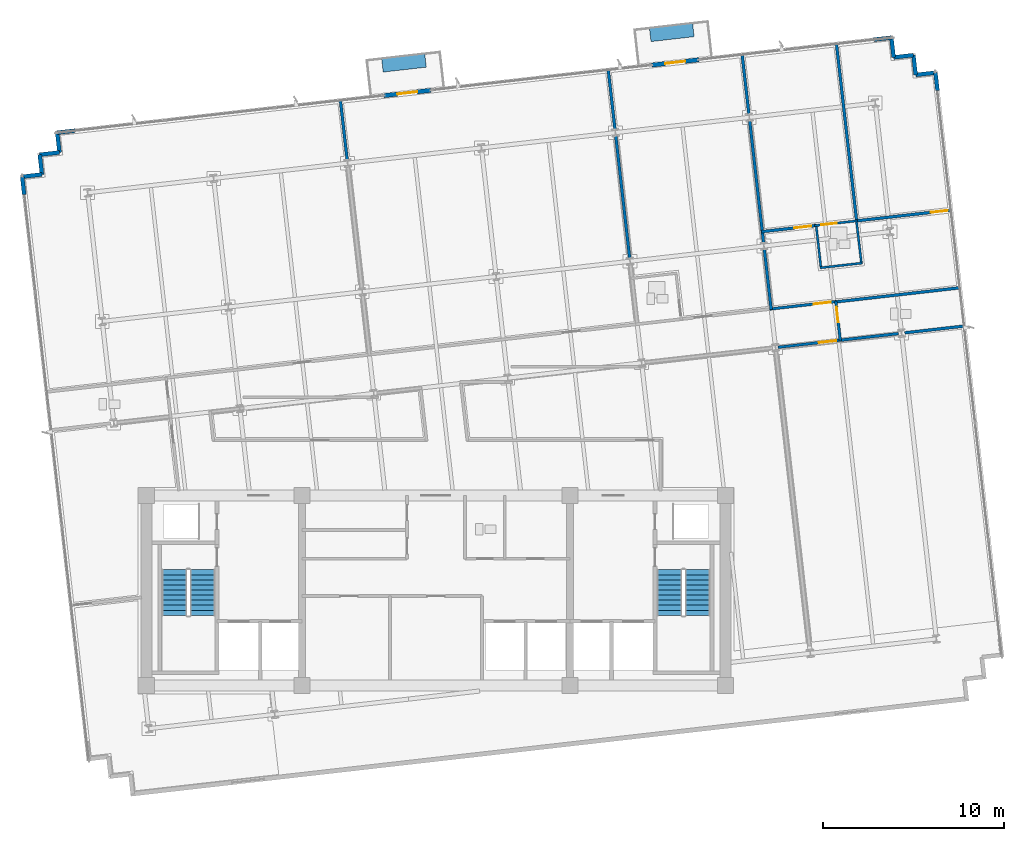
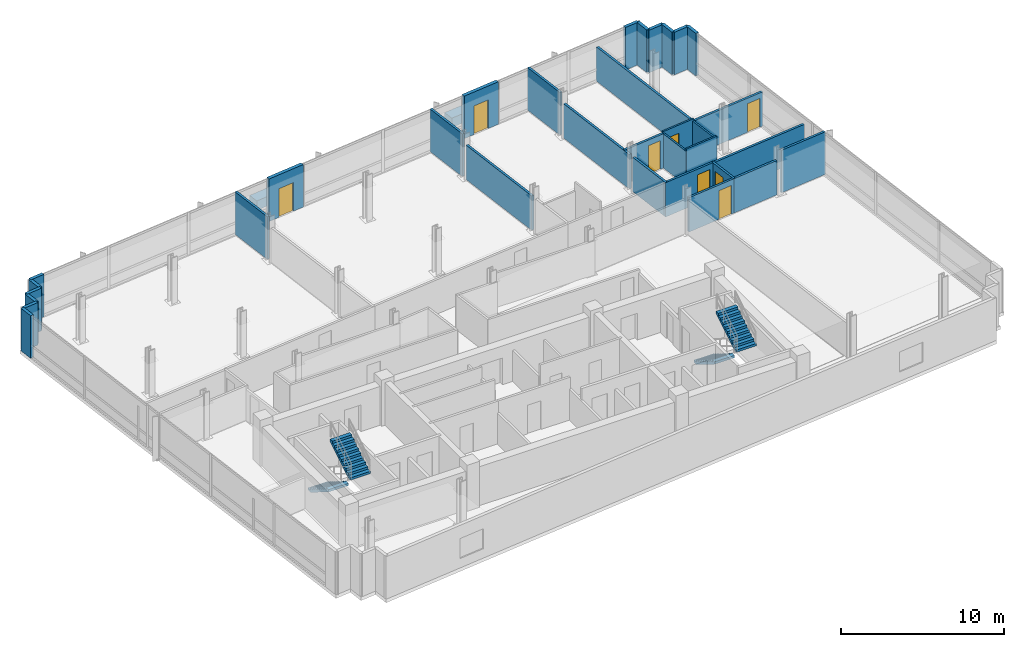
# One storey, part 10 of 16: 33 walls, 8 doors, 4 stair flights, 2 discrete accessories, 8 openings, 2 elements without a shape of their own.
"""IFC4 building model written with IfcOpenShell, lengths in metres."""

from ifc_helpers import new_model, si_unit, direction, frame, frame_2d, origin, origin_2d, place, context, subcontext, project, spatial, polyline, rectangle, outline, extrude, material, layer, layer_set, type_object, element, fill, aggregate, save


model = new_model("IFC4")

# Units and contexts
model_context = context("Model", 3, precision=1e-05, world=origin(), true_north=direction((0.0, 1.0)))
body_context = subcontext(model_context, "Body", "Model", "MODEL_VIEW")
ifc_project = project(units=[si_unit("LENGTHUNIT", "METRE"), si_unit("AREAUNIT", "SQUARE_METRE"), si_unit("VOLUMEUNIT", "CUBIC_METRE"), si_unit("PLANEANGLEUNIT", "RADIAN"), si_unit("MASSUNIT", "GRAM", prefix="KILO")], contexts=[model_context])

# Site, building, storey
site_placement = place(None, origin())
site = spatial("IfcSite", under=ifc_project, at=site_placement, CompositionType="ELEMENT")
building_placement = place(site_placement, origin())
building = spatial("IfcBuilding", under=site, at=building_placement, Name="Solmavex Isthmus Hotel", CompositionType="ELEMENT")
storey_placement = place(building_placement, frame((0.0, 0.0, 233.10009765625)))
storey = spatial("IfcBuildingStorey", under=building, at=storey_placement, Name="L63", CompositionType="ELEMENT", Elevation=233.10009765625)

# Wall, opening, door
ifc_material_1 = material(Name="Precast Concrete C40/50", Category="concrete")
ifc_layer_1 = layer(ifc_material_1, 0.25)
ifc_layer_set_1 = layer_set([ifc_layer_1], Name="Precast Concrete C40/50")
wall_type_1 = type_object("IfcWallType", Name="EW-TWR-250", PredefinedType="STANDARD", material=ifc_layer_set_1)
wall_1_placement = place(storey_placement, frame((-2.871337890625, 19.59326171875, 0.0), z_axis=(0.0, 0.0, 1.0), x_axis=(0.993577691497, 0.113151981689, 0.0)))
wall_1 = element("IfcWall", 1, at=wall_1_placement, inside=storey, type_object=wall_type_1, Name="Exterior Balcony Door Wall L63-2", PredefinedType="STANDARD", context=body_context, shape_type="SweptSolid", body=[
    extrude(rectangle(XDim=2.599853515625, YDim=0.239990234375, at=frame_2d((1.2998046875, 0.0))), origin(), (0.0, 0.0, 1.0), 3.18994140625),
])
opening_1_placement = place(wall_1_placement, frame((0.75, 0.0, 0.0)))
opening_1 = element("IfcOpeningElement", 2, at=opening_1_placement, cuts=wall_1, Name="Opening ED-02", PredefinedType="OPENING", context=body_context, shape_type="SweptSolid", body=[
    extrude(rectangle(XDim=1.10009765625, YDim=2.14990234375, at=frame_2d((0.550048828125, 1.074951171875))), frame((0.0, 0.1298828125, 0.0), z_axis=(0.0, -1.0, 0.0), x_axis=(1.0, 0.0, 0.0)), (0.0, 0.0, 1.0), 0.260009765625),
])
ifc_material_2 = material(Name="Aluminium alloy 6063-T6", Category="aluminium")
door_type_1 = type_object("IfcDoorType", Name="EDR-BALC-1100", OperationType="NOTDEFINED", PredefinedType="DOOR", material=ifc_material_2)
door_1_placement = place(opening_1_placement, origin())
door_1 = element("IfcDoor", 3, at=door_1_placement, inside=storey, type_object=door_type_1, Name="Balcony & Terrace Glazed Door L63-2", OperationType="SINGLE_SWING_RIGHT", OverallHeight=2.14990234375, OverallWidth=1.10009765625, PredefinedType="DOOR", context=body_context, shape_type="SweptSolid", body=[
    extrude(rectangle(XDim=1.10009765625, YDim=2.14990234375, at=frame_2d((0.550048828125, 1.074951171875))), frame((0.0, 0.02490234375, 0.0), z_axis=(0.0, -1.0, 0.0), x_axis=(1.0, 0.0, 0.0)), (0.0, 0.0, 1.0), 0.050048828125),
])
fill(opening_1, door_1)

wall_2_placement = place(storey_placement, frame((11.9248046875, 21.279052734375, 0.0), z_axis=(0.0, 0.0, 1.0), x_axis=(0.993567130319, 0.113244680008, 0.0)))
wall_2 = element("IfcWall", 4, at=wall_2_placement, inside=storey, type_object=wall_type_1, Name="Exterior Balcony Door Wall L63-3", PredefinedType="STANDARD", context=body_context, shape_type="SweptSolid", body=[
    extrude(rectangle(XDim=2.60009765625, YDim=0.239990234375, at=frame_2d((1.300048828125, 0.0))), origin(), (0.0, 0.0, 1.0), 3.18994140625),
])
opening_2_placement = place(wall_2_placement, frame((0.75, 0.0, 0.0)))
opening_2 = element("IfcOpeningElement", 5, at=opening_2_placement, cuts=wall_2, Name="Opening ED-02", PredefinedType="OPENING", context=body_context, shape_type="SweptSolid", body=[
    extrude(rectangle(XDim=1.10009765625, YDim=2.14990234375, at=frame_2d((0.550048828125, 1.074951171875))), frame((0.0, 0.1298828125, 0.0), z_axis=(0.0, -1.0, 0.0), x_axis=(1.0, 0.0, 0.0)), (0.0, 0.0, 1.0), 0.260009765625),
])
door_2_placement = place(opening_2_placement, origin())
door_2 = element("IfcDoor", 6, at=door_2_placement, inside=storey, type_object=door_type_1, Name="Balcony & Terrace Glazed Door L63-3", OperationType="SINGLE_SWING_LEFT", OverallHeight=2.14990234375, OverallWidth=1.10009765625, PredefinedType="DOOR", context=body_context, shape_type="SweptSolid", body=[
    extrude(rectangle(XDim=1.10009765625, YDim=2.14990234375, at=frame_2d((0.550048828125, 1.074951171875))), frame((0.0, 0.02490234375, 0.0), z_axis=(0.0, -1.0, 0.0), x_axis=(1.0, 0.0, 0.0)), (0.0, 0.0, 1.0), 0.050048828125),
])
fill(opening_2, door_2)

# Walls
wall_3_placement = place(storey_placement, frame((-22.74755859375, 14.128173828125, 0.0), z_axis=(0.0, 0.0, 1.0), x_axis=(-0.113191877531, 0.993573147212, 0.0)))
element("IfcWall", 7, at=wall_3_placement, inside=storey, type_object=wall_type_1, Name="Serrated Corner Facade Panel L63-07", PredefinedType="STANDARD", context=body_context, shape_type="SweptSolid", body=[
    extrude(rectangle(XDim=0.989990234375, YDim=0.219970703125, at=frame_2d((0.4951171875, 0.0))), origin(), (0.0, 0.0, 1.0), 3.18994140625),
])
wall_4_placement = place(storey_placement, frame((-22.859619140625, 15.11181640625, 0.0), z_axis=(0.0, 0.0, 1.0), x_axis=(0.99357409499, 0.113183557839, 0.0)))
element("IfcWall", 8, at=wall_4_placement, inside=storey, type_object=wall_type_1, Name="Serrated Corner Facade Panel L63-08", PredefinedType="STANDARD", context=body_context, shape_type="SweptSolid", body=[
    extrude(rectangle(XDim=1.10009765625, YDim=0.219970703125, at=frame_2d((0.550048828125, 0.0))), origin(), (0.0, 0.0, 1.0), 3.18994140625),
])
wall_5_placement = place(storey_placement, frame((-21.7666015625, 15.236328125, 0.0), z_axis=(0.0, 0.0, 1.0), x_axis=(-0.11320852056, 0.99357125103, 0.0)))
element("IfcWall", 9, at=wall_5_placement, inside=storey, type_object=wall_type_1, Name="Serrated Corner Facade Panel L63-09", PredefinedType="STANDARD", context=body_context, shape_type="SweptSolid", body=[
    extrude(rectangle(XDim=1.099853515625, YDim=0.219970703125, at=frame_2d((0.5498046875, 0.0))), origin(), (0.0, 0.0, 1.0), 3.18994140625),
])
for number, where, z_axis, x_axis, name in (
    (10, (-21.89111328125, 16.3291015625, 0.0), (0.0, 0.0, 1.0), (0.99357409499, 0.113183557839, 0.0), "Serrated Corner Facade Panel L63-10"),
    (11, (-20.798095703125, 16.45361328125, 0.0), (0.0, 0.0, 1.0), (-0.113402635104, 0.993549114212, 0.0), "Serrated Corner Facade Panel L63-11"),
):
    element("IfcWall", number, at=place(storey_placement, frame(where, z_axis=z_axis, x_axis=x_axis)), inside=storey, type_object=wall_type_1, Name=name, PredefinedType="STANDARD", context=body_context, shape_type="SweptSolid", body=[
        extrude(rectangle(XDim=1.10009765625, YDim=0.219970703125, at=frame_2d((0.550048828125, 0.0))), origin(), (0.0, 0.0, 1.0), 3.18994140625),
    ])
for number, where, z_axis, x_axis, name in (
    (12, (-20.9228515625, 17.546630859375, 0.0), (0.0, 0.0, 1.0), (0.993573147212, 0.113191877531, 0.0), "Serrated Corner Facade Panel L63-12"),
    (13, (24.175537109375, 22.684814453125, 0.0), (0.0, 0.0, 1.0), (0.993573147212, 0.113191877531, 0.0), "Serrated Corner Facade Panel L63-14"),
):
    element("IfcWall", number, at=place(storey_placement, frame(where, z_axis=z_axis, x_axis=x_axis)), inside=storey, type_object=wall_type_1, Name=name, PredefinedType="STANDARD", context=body_context, shape_type="SweptSolid", body=[
        extrude(rectangle(XDim=0.989990234375, YDim=0.219970703125, at=frame_2d((0.4951171875, 0.0))), origin(), (0.0, 0.0, 1.0), 3.18994140625),
    ])
for number, where, z_axis, x_axis, name in (
    (14, (25.1591796875, 22.796875, 0.0), (0.0, 0.0, 1.0), (0.11320852056, -0.99357125103, 0.0), "Serrated Corner Facade Panel L63-15"),
    (15, (25.28369140625, 21.7041015625, 0.0), (0.0, 0.0, 1.0), (0.99357125103, 0.11320852056, 0.0), "Serrated Corner Facade Panel L63-16"),
):
    element("IfcWall", number, at=place(storey_placement, frame(where, z_axis=z_axis, x_axis=x_axis)), inside=storey, type_object=wall_type_1, Name=name, PredefinedType="STANDARD", context=body_context, shape_type="SweptSolid", body=[
        extrude(rectangle(XDim=1.099853515625, YDim=0.219970703125, at=frame_2d((0.5498046875, 0.0))), origin(), (0.0, 0.0, 1.0), 3.18994140625),
    ])
wall_6_placement = place(storey_placement, frame((26.37646484375, 21.82861328125, 0.0), z_axis=(0.0, 0.0, 1.0), x_axis=(0.113402635104, -0.993549114212, 0.0)))
element("IfcWall", 16, at=wall_6_placement, inside=storey, type_object=wall_type_1, Name="Serrated Corner Facade Panel L63-17", PredefinedType="STANDARD", context=body_context, shape_type="SweptSolid", body=[
    extrude(rectangle(XDim=1.10009765625, YDim=0.219970703125, at=frame_2d((0.550048828125, 0.0))), origin(), (0.0, 0.0, 1.0), 3.18994140625),
])
wall_7_placement = place(storey_placement, frame((26.501220703125, 20.735595703125, 0.0), z_axis=(0.0, 0.0, 1.0), x_axis=(0.99357125103, 0.11320852056, 0.0)))
element("IfcWall", 17, at=wall_7_placement, inside=storey, type_object=wall_type_1, Name="Serrated Corner Facade Panel L63-18", PredefinedType="STANDARD", context=body_context, shape_type="SweptSolid", body=[
    extrude(rectangle(XDim=1.099853515625, YDim=0.219970703125, at=frame_2d((0.5498046875, 0.0))), origin(), (0.0, 0.0, 1.0), 3.18994140625),
])
wall_8_placement = place(storey_placement, frame((27.593994140625, 20.860107421875, 0.0), z_axis=(0.0, 0.0, 1.0), x_axis=(0.113191877531, -0.993573147212, 0.0)))
element("IfcWall", 18, at=wall_8_placement, inside=storey, type_object=wall_type_1, Name="Serrated Corner Facade Panel L63-19", PredefinedType="STANDARD", context=body_context, shape_type="SweptSolid", body=[
    extrude(rectangle(XDim=0.989990234375, YDim=0.219970703125, at=frame_2d((0.4951171875, 0.0))), origin(), (0.0, 0.0, 1.0), 3.18994140625),
])
ifc_material_3 = material(Name="Gypsum plasterboard lining", Category="gypsum")
ifc_layer_2 = layer(ifc_material_3, 0.159912109375)
ifc_layer_set_2 = layer_set([ifc_layer_2], Name="Gypsum plasterboard lining")
wall_type_2 = type_object("IfcWallType", Name="IW-COMP-160", PredefinedType="PARTITIONING", material=ifc_layer_set_2)
for number, where, z_axis, x_axis, name in (
    (19, (-5.283447265625, 19.358642578125, 0.0), (0.0, 0.0, 1.0), (0.113252098743, -0.993566284719, 0.0), "Interior Partition Wall W-L63-P022"),
    (20, (9.512939453125, 21.04443359375, 0.0), (0.0, 0.0, 1.0), (0.113180015629, -0.993574498496, 0.0), "Interior Partition Wall W-L63-P026"),
):
    element("IfcWall", number, at=place(storey_placement, frame(where, z_axis=z_axis, x_axis=x_axis)), inside=storey, type_object=wall_type_2, Name=name, PredefinedType="PARTITIONING", context=body_context, shape_type="SweptSolid", body=[
        extrude(rectangle(XDim=3.343505859375, YDim=0.159912109375, at=frame_2d((1.671875, 0.0))), origin(), (0.0, 0.0, 1.0), 3.18994140625),
    ])
wall_9_placement = place(storey_placement, frame((9.931396484375, 17.371826171875, 0.0), z_axis=(0.0, 0.0, 1.0), x_axis=(0.113217453743, -0.993570233133, 0.0)))
element("IfcWall", 21, at=wall_9_placement, inside=storey, type_object=wall_type_2, Name="Interior Partition Wall W-L63-P027", PredefinedType="PARTITIONING", context=body_context, shape_type="SweptSolid", body=[
    extrude(rectangle(XDim=6.799072265625, YDim=0.159912109375, at=frame_2d((3.3994140625, 0.0))), origin(), (0.0, 0.0, 1.0), 2.572265625),
])
wall_10_placement = place(storey_placement, frame((17.32958984375, 18.21484375, 0.0), z_axis=(0.0, 0.0, 1.0), x_axis=(0.113177968069, -0.993574731736, 0.0)))
element("IfcWall", 22, at=wall_10_placement, inside=storey, type_object=wall_type_2, Name="Interior Partition Wall W-L63-P031", PredefinedType="PARTITIONING", context=body_context, shape_type="SweptSolid", body=[
    extrude(rectangle(XDim=6.79931640625, YDim=0.159912109375, at=frame_2d((3.399658203125, 0.0))), origin(), (0.0, 0.0, 1.0), 2.572265625),
])
wall_11_placement = place(storey_placement, frame((18.13916015625, 11.108642578125, 0.0), z_axis=(0.0, 0.0, 1.0), x_axis=(0.113229088195, -0.993568907317, 0.0)))
element("IfcWall", 23, at=wall_11_placement, inside=storey, type_object=wall_type_2, Name="Interior Partition Wall W-L63-P032", PredefinedType="PARTITIONING", context=body_context, shape_type="SweptSolid", body=[
    extrude(rectangle(XDim=3.361572265625, YDim=0.159912109375, at=frame_2d((1.6806640625, 0.0))), origin(), (0.0, 0.0, 1.0), 2.572265625),
])
wall_12_placement = place(storey_placement, frame((16.9111328125, 21.887451171875, 0.0), z_axis=(0.0, 0.0, 1.0), x_axis=(0.113171804991, -0.993575433752, 0.0)))
element("IfcWall", 24, at=wall_12_placement, inside=storey, type_object=wall_type_2, Name="Interior Partition Wall W-L63-P033", PredefinedType="PARTITIONING", context=body_context, shape_type="SweptSolid", body=[
    extrude(rectangle(XDim=3.34375, YDim=0.159912109375, at=frame_2d((1.671875, 0.0))), origin(), (0.0, 0.0, 1.0), 3.18994140625),
])

# Wall, opening, door
wall_13_placement = place(storey_placement, frame((17.98876953125, 12.07421875, 0.0), z_axis=(0.0, 0.0, 1.0), x_axis=(0.99356692764, 0.113246458222, 0.0)))
wall_13 = element("IfcWall", 25, at=wall_13_placement, inside=storey, type_object=wall_type_2, Name="Interior Partition Wall W-L63-P034", PredefinedType="PARTITIONING", context=body_context, shape_type="SweptSolid", body=[
    extrude(rectangle(XDim=3.07421875, YDim=0.159912109375, at=frame_2d((1.537109375, 0.0))), origin(), (0.0, 0.0, 1.0), 2.572265625),
])
opening_3_placement = place(wall_13_placement, frame((1.81640625, 0.0, 0.0)))
opening_3 = element("IfcOpeningElement", 26, at=opening_3_placement, cuts=wall_13, Name="Opening ID-C095", PredefinedType="OPENING", context=body_context, shape_type="SweptSolid", body=[
    extrude(rectangle(XDim=0.949951171875, YDim=2.14990234375, at=frame_2d((0.47509765625, 1.074951171875))), frame((0.0, 0.08984375, 0.0), z_axis=(0.0, -1.0, 0.0), x_axis=(1.0, 0.0, 0.0)), (0.0, 0.0, 1.0), 0.179931640625),
])
ifc_material_4 = material(Name="Hardwood timber", Category="wood")
door_type_2 = type_object("IfcDoorType", Name="IDR-FD60-0950", OperationType="NOTDEFINED", PredefinedType="DOOR", material=ifc_material_4)
door_3_placement = place(opening_3_placement, origin())
door_3 = element("IfcDoor", 27, at=door_3_placement, inside=storey, type_object=door_type_2, Name="Ambassador Panorama Suite Master Bedroom Door L63-06", OperationType="SINGLE_SWING_RIGHT", OverallHeight=2.14990234375, OverallWidth=0.949951171875, PredefinedType="DOOR", context=body_context, shape_type="SweptSolid", body=[
    extrude(rectangle(XDim=0.949951171875, YDim=2.14990234375, at=frame_2d((0.47509765625, 1.074951171875))), frame((0.0, 0.02490234375, 0.0), z_axis=(0.0, -1.0, 0.0), x_axis=(1.0, 0.0, 0.0)), (0.0, 0.0, 1.0), 0.050048828125),
])
fill(opening_3, door_3)

wall_14_placement = place(storey_placement, frame((23.189208984375, 12.666748046875, 0.0), z_axis=(0.0, 0.0, 1.0), x_axis=(0.993568324639, 0.113234200993, 0.0)))
wall_14 = element("IfcWall", 28, at=wall_14_placement, inside=storey, type_object=wall_type_2, Name="Interior Partition Wall W-L63-P035", PredefinedType="PARTITIONING", context=body_context, shape_type="SweptSolid", body=[
    extrude(rectangle(XDim=5.334228515625, YDim=0.159912109375, at=frame_2d((2.6669921875, 0.0))), origin(), (0.0, 0.0, 1.0), 2.557373046875),
])
opening_4_placement = place(wall_14_placement, frame((4.174072265625, 0.0, 0.0)))
opening_4 = element("IfcOpeningElement", 29, at=opening_4_placement, cuts=wall_14, Name="Opening ID-C095", PredefinedType="OPENING", context=body_context, shape_type="SweptSolid", body=[
    extrude(rectangle(XDim=0.949951171875, YDim=2.14990234375, at=frame_2d((0.47509765625, 1.074951171875))), frame((0.0, 0.08984375, 0.0), z_axis=(0.0, -1.0, 0.0), x_axis=(1.0, 0.0, 0.0)), (0.0, 0.0, 1.0), 0.179931640625),
])
door_4_placement = place(opening_4_placement, origin())
door_4 = element("IfcDoor", 30, at=door_4_placement, inside=storey, type_object=door_type_2, Name="Ambassador Panorama Suite Panorama Sitting Study Door L63-07", OperationType="SINGLE_SWING_LEFT", OverallHeight=2.14990234375, OverallWidth=0.949951171875, PredefinedType="DOOR", context=body_context, shape_type="SweptSolid", body=[
    extrude(rectangle(XDim=0.949951171875, YDim=2.14990234375, at=frame_2d((0.47509765625, 1.074951171875))), frame((0.0, 0.02490234375, 0.0), z_axis=(0.0, -1.0, 0.0), x_axis=(1.0, 0.0, 0.0)), (0.0, 0.0, 1.0), 0.050048828125),
])
fill(opening_4, door_4)

# Walls
wall_15_placement = place(storey_placement, frame((28.977783203125, 8.98046875, 0.0), z_axis=(0.0, 0.0, 1.0), x_axis=(-0.993571800428, -0.113203698681, 0.0)))
element("IfcWall", 31, at=wall_15_placement, inside=storey, type_object=wall_type_2, Name="Interior Partition Wall W-L63-P039", PredefinedType="PARTITIONING", context=body_context, shape_type="SweptSolid", body=[
    extrude(rectangle(XDim=6.968017578125, YDim=0.159912109375, at=frame_2d((3.48388671875, 0.0))), origin(), (0.0, 0.0, 1.0), 2.557373046875),
])
wall_16_placement = place(storey_placement, frame((22.121337890625, 22.48095703125, 0.0), z_axis=(0.0, 0.0, 1.0), x_axis=(0.113204804788, -0.993571674401, 0.0)))
element("IfcWall", 32, at=wall_16_placement, inside=storey, type_object=wall_type_2, Name="Interior Partition Wall W-L63-P040", PredefinedType="PARTITIONING", context=body_context, shape_type="SweptSolid", body=[
    extrude(rectangle(XDim=9.911865234375, YDim=0.159912109375, at=frame_2d((4.9560546875, 0.0))), origin(), (0.0, 0.0, 1.0), 2.557373046875),
])
wall_17_placement = place(storey_placement, frame((25.546142578125, 6.44580078125, 0.0), z_axis=(0.0, 0.0, 1.0), x_axis=(-0.993568592225, -0.113231853041, 0.0)))
element("IfcWall", 33, at=wall_17_placement, inside=storey, type_object=wall_type_2, Name="Interior Partition Wall W-L63-P044", PredefinedType="PARTITIONING", context=body_context, shape_type="SweptSolid", body=[
    extrude(rectangle(XDim=3.281494140625, YDim=0.159912109375, at=frame_2d((1.640625, 0.0))), origin(), (0.0, 0.0, 1.0), 2.572265625),
])
wall_18_placement = place(storey_placement, frame((29.21875, 6.864013671875, 0.0), z_axis=(0.0, 0.0, 1.0), x_axis=(-0.993574498496, -0.113180015629, 0.0)))
element("IfcWall", 34, at=wall_18_placement, inside=storey, type_object=wall_type_2, Name="Interior Partition Wall W-L63-P045", PredefinedType="PARTITIONING", context=body_context, shape_type="SweptSolid", body=[
    extrude(rectangle(XDim=3.343505859375, YDim=0.159912109375, at=frame_2d((1.671875, 0.0))), origin(), (0.0, 0.0, 1.0), 3.18994140625),
])

# Wall, opening, door
ifc_layer_3 = layer(ifc_material_3, 0.14990234375)
ifc_layer_set_3 = layer_set([ifc_layer_3], Name="Gypsum plasterboard lining")
wall_type_3 = type_object("IfcWallType", Name="IW-CORR-150", PredefinedType="PARTITIONING", material=ifc_layer_set_3)
wall_19_placement = place(storey_placement, frame((18.43359375, 7.79931640625, 0.0), z_axis=(0.0, 0.0, 1.0), x_axis=(0.993578468541, 0.11314515832, 0.0)))
wall_19 = element("IfcWall", 35, at=wall_19_placement, inside=storey, type_object=wall_type_3, Name="Interior Partition Wall W-L63-P005", PredefinedType="PARTITIONING", context=body_context, shape_type="SweptSolid", body=[
    extrude(rectangle(XDim=3.72216796875, YDim=0.14990234375, at=frame_2d((1.861083984375, 0.0))), origin(), (0.0, 0.0, 1.0), 2.572265625),
])
opening_5_placement = place(wall_19_placement, frame((2.456787109375, 0.0, 0.0)))
opening_5 = element("IfcOpeningElement", 36, at=opening_5_placement, cuts=wall_19, Name="Opening ID-C095", PredefinedType="OPENING", context=body_context, shape_type="SweptSolid", body=[
    extrude(rectangle(XDim=0.949951171875, YDim=2.14990234375, at=frame_2d((0.47509765625, 1.074951171875))), frame((0.0, 0.0849609375, 0.0), z_axis=(0.0, -1.0, 0.0), x_axis=(1.0, 0.0, 0.0)), (0.0, 0.0, 1.0), 0.169921875),
])
door_5_placement = place(opening_5_placement, origin())
door_5 = element("IfcDoor", 37, at=door_5_placement, inside=storey, type_object=door_type_2, Name="Ambassador Panorama Suite Living Salon Door L63-05", OperationType="SINGLE_SWING_LEFT", OverallHeight=2.14990234375, OverallWidth=0.949951171875, PredefinedType="DOOR", context=body_context, shape_type="SweptSolid", body=[
    extrude(rectangle(XDim=0.949951171875, YDim=2.14990234375, at=frame_2d((0.47509765625, 1.074951171875))), frame((0.0, 0.02490234375, 0.0), z_axis=(0.0, -1.0, 0.0), x_axis=(1.0, 0.0, 0.0)), (0.0, 0.0, 1.0), 0.050048828125),
])
fill(opening_5, door_5)

wall_20_placement = place(storey_placement, frame((22.08984375, 8.23583984375, 0.0), z_axis=(0.0, 0.0, 1.0), x_axis=(0.113122854389, -0.993581008179, 0.0)))
wall_20 = element("IfcWall", 38, at=wall_20_placement, inside=storey, type_object=wall_type_3, Name="Interior Partition Wall W-L63-P007", PredefinedType="PARTITIONING", context=body_context, shape_type="SweptSolid", body=[
    extrude(rectangle(XDim=2.2099609375, YDim=0.14990234375, at=frame_2d((1.10498046875, 0.0))), origin(), (0.0, 0.0, 1.0), 2.572265625),
])
opening_6_placement = place(wall_20_placement, frame((0.322265625, 0.0, 0.0)))
opening_6 = element("IfcOpeningElement", 39, at=opening_6_placement, cuts=wall_20, Name="Opening ID-R085", PredefinedType="OPENING", context=body_context, shape_type="SweptSolid", body=[
    extrude(rectangle(XDim=0.85009765625, YDim=2.050048828125, at=frame_2d((0.425048828125, 1.02490234375))), frame((0.0, 0.0849609375, 0.0), z_axis=(0.0, -1.0, 0.0), x_axis=(1.0, 0.0, 0.0)), (0.0, 0.0, 1.0), 0.169921875),
])
ifc_material_5 = material(Name="Steel ASTM A500 Grade C", Category="steel")
door_type_3 = type_object("IfcDoorType", Name="IDR-FD60-0850", OperationType="NOTDEFINED", PredefinedType="DOOR", material=ifc_material_5)
door_6_placement = place(opening_6_placement, frame((0.85009765625, 0.0, 0.0), z_axis=(0.0, 0.0, 1.0), x_axis=(-1.0, 0.0, 0.0)))
door_6 = element("IfcDoor", 40, at=door_6_placement, inside=storey, type_object=door_type_3, Name="Public Restroom WC Door L63-10", OperationType="SINGLE_SWING_RIGHT", OverallHeight=2.050048828125, OverallWidth=0.85009765625, PredefinedType="DOOR", context=body_context, shape_type="SweptSolid", body=[
    extrude(rectangle(XDim=0.85009765625, YDim=2.050048828125, at=frame_2d((0.425048828125, 1.02490234375))), frame((0.0, 0.02490234375, 0.0), z_axis=(0.0, -1.0, 0.0), x_axis=(1.0, 0.0, 0.0)), (0.0, 0.0, 1.0), 0.050048828125),
])
fill(opening_6, door_6)

wall_21_placement = place(storey_placement, frame((22.375244140625, 6.08447265625, 0.0), z_axis=(0.0, 0.0, 1.0), x_axis=(-0.993568982909, -0.113228424882, 0.0)))
wall_21 = element("IfcWall", 41, at=wall_21_placement, inside=storey, type_object=wall_type_3, Name="Interior Partition Wall W-L63-P021", PredefinedType="PARTITIONING", context=body_context, shape_type="SweptSolid", body=[
    extrude(rectangle(XDim=3.505859375, YDim=0.14990234375, at=frame_2d((1.7529296875, 0.0))), origin(), (0.0, 0.0, 1.0), 2.572265625),
])
opening_7_placement = place(wall_21_placement, frame((0.270751953125, 0.0, 0.0)))
opening_7 = element("IfcOpeningElement", 42, at=opening_7_placement, cuts=wall_21, Name="Opening ID-C095", PredefinedType="OPENING", context=body_context, shape_type="SweptSolid", body=[
    extrude(rectangle(XDim=0.949951171875, YDim=2.14990234375, at=frame_2d((0.47509765625, 1.074951171875))), frame((0.0, 0.0849609375, 0.0), z_axis=(0.0, -1.0, 0.0), x_axis=(1.0, 0.0, 0.0)), (0.0, 0.0, 1.0), 0.169921875),
])
door_7_placement = place(opening_7_placement, origin())
door_7 = element("IfcDoor", 43, at=door_7_placement, inside=storey, type_object=door_type_2, Name="Executive Meeting Room Door L63-15", OperationType="SINGLE_SWING_LEFT", OverallHeight=2.14990234375, OverallWidth=0.949951171875, PredefinedType="DOOR", context=body_context, shape_type="SweptSolid", body=[
    extrude(rectangle(XDim=0.949951171875, YDim=2.14990234375, at=frame_2d((0.47509765625, 1.074951171875))), frame((0.0, 0.02490234375, 0.0), z_axis=(0.0, -1.0, 0.0), x_axis=(1.0, 0.0, 0.0)), (0.0, 0.0, 1.0), 0.050048828125),
])
fill(opening_7, door_7)

# Walls
ifc_layer_4 = layer(ifc_material_3, 0.1201171875)
ifc_layer_set_4 = layer_set([ifc_layer_4], Name="Gypsum plasterboard lining")
wall_type_4 = type_object("IfcWallType", Name="IW-PART-120", PredefinedType="PARTITIONING", material=ifc_layer_set_4)
wall_22_placement = place(storey_placement, frame((20.998779296875, 12.45751953125, 0.0), z_axis=(0.0, 0.0, 1.0), x_axis=(0.113232053563, -0.993568569373, 0.0)))
element("IfcWall", 44, at=wall_22_placement, inside=storey, type_object=wall_type_4, Name="Interior Partition Wall W-L63-P036", PredefinedType="PARTITIONING", context=body_context, shape_type="SweptSolid", body=[
    extrude(rectangle(XDim=2.429931640625, YDim=0.1201171875, at=frame_2d((1.21484375, 0.0))), origin(), (0.0, 0.0, 1.0), 2.572265625),
])
wall_23_placement = place(storey_placement, frame((21.229736328125, 10.078369140625, 0.0), z_axis=(0.0, 0.0, 1.0), x_axis=(0.99357583204, 0.113168308226, 0.0)))
element("IfcWall", 45, at=wall_23_placement, inside=storey, type_object=wall_type_4, Name="Interior Partition Wall W-L63-P037", PredefinedType="PARTITIONING", context=body_context, shape_type="SweptSolid", body=[
    extrude(rectangle(XDim=2.329833984375, YDim=0.1201171875, at=frame_2d((1.1650390625, 0.0))), origin(), (0.0, 0.0, 1.0), 2.718017578125),
])
wall_24_placement = place(storey_placement, frame((23.509521484375, 10.2978515625, 0.0), z_axis=(0.0, 0.0, 1.0), x_axis=(-0.117342526496, 0.993091502066, 0.0)))
element("IfcWall", 46, at=wall_24_placement, inside=storey, type_object=wall_type_4, Name="Interior Partition Wall W-L63-P038", PredefinedType="PARTITIONING", context=body_context, shape_type="SweptSolid", body=[
    extrude(rectangle(XDim=2.43017578125, YDim=0.1201171875, at=frame_2d((1.215087890625, 0.0))), origin(), (0.0, 0.0, 1.0), 2.572265625),
])

# Wall, opening, door
wall_25_placement = place(storey_placement, frame((23.278564453125, 12.677001953125, 0.0), z_axis=(0.0, 0.0, 1.0), x_axis=(-0.993569776601, -0.113221460091, 0.0)))
wall_25 = element("IfcWall", 47, at=wall_25_placement, inside=storey, type_object=wall_type_4, Name="Interior Partition Wall W-L63-P041", PredefinedType="PARTITIONING", context=body_context, shape_type="SweptSolid", body=[
    extrude(rectangle(XDim=2.371826171875, YDim=0.1201171875, at=frame_2d((1.18603515625, 0.0))), origin(), (0.0, 0.0, 1.0), 2.718017578125),
])
opening_8_placement = place(wall_25_placement, frame((1.14599609375, 0.0, 0.0)))
opening_8 = element("IfcOpeningElement", 48, at=opening_8_placement, cuts=wall_25, Name="Opening ID-U085", PredefinedType="OPENING", context=body_context, shape_type="SweptSolid", body=[
    extrude(rectangle(XDim=0.85009765625, YDim=2.10009765625, at=frame_2d((0.425048828125, 1.050048828125))), frame((0.0, 0.070068359375, 0.0), z_axis=(0.0, -1.0, 0.0), x_axis=(1.0, 0.0, 0.0)), (0.0, 0.0, 1.0), 0.14013671875),
])
door_type_4 = type_object("IfcDoorType", Name="IDR-UNR-0850", OperationType="NOTDEFINED", PredefinedType="DOOR", material=ifc_material_4)
door_8_placement = place(opening_8_placement, frame((0.85009765625, 0.0, 0.0), z_axis=(0.0, 0.0, 1.0), x_axis=(-1.0, 0.0, 0.0)))
door_8 = element("IfcDoor", 49, at=door_8_placement, inside=storey, type_object=door_type_4, Name="En-suite Bathroom Door L63-08", OperationType="SINGLE_SWING_RIGHT", OverallHeight=2.10009765625, OverallWidth=0.85009765625, PredefinedType="DOOR", context=body_context, shape_type="SweptSolid", body=[
    extrude(rectangle(XDim=0.85009765625, YDim=2.10009765625, at=frame_2d((0.425048828125, 1.050048828125))), frame((0.0, 0.02490234375, 0.0), z_axis=(0.0, -1.0, 0.0), x_axis=(1.0, 0.0, 0.0)), (0.0, 0.0, 1.0), 0.050048828125),
])
fill(opening_8, door_8)

# Stair, stair flights
ifc_material_6 = material(Name="Concrete C40/50", Category="concrete")
stair_type_1 = type_object("IfcStairType", Name="STR-ST-1", PredefinedType="HALF_TURN_STAIR", material=ifc_material_6)
stair_1_placement = place(storey_placement, origin())
stair_1 = element("IfcStair", 50, at=stair_1_placement, inside=storey, type_object=stair_type_1, Name="L63 Protected Exit Stair ST-1", PredefinedType="HALF_TURN_STAIR")
stair_flight_type_1 = type_object("IfcStairFlightType", Name="SFL-ST-1", PredefinedType="STRAIGHT", material=ifc_material_6)
stair_flight_1_placement = place(storey_placement, frame((-14.449951171875, -6.60009765625, 0.0), z_axis=(0.0, 0.0, 1.0), x_axis=(0.0, -1.0, 0.0)))
stair_flight_1 = element("IfcStairFlight", 51, at=stair_flight_1_placement, type_object=stair_flight_type_1, Name="ST-1 flight 1", NumberOfRisers=10, NumberOfTreads=9, PredefinedType="STRAIGHT", RiserHeight=0.1725, TreadLength=0.28, context=body_context, shape_type="SweptSolid", body=[
    extrude(outline(polyline([(0.0, 0.0), (0.0, 0.172607421875), (0.280029296875, 0.172607421875), (0.280029296875, 0.344970703125), (0.56005859375, 0.344970703125), (0.56005859375, 0.517578125), (0.840087890625, 0.517578125), (0.840087890625, 0.68994140625), (1.1201171875, 0.68994140625), (1.1201171875, 0.862548828125), (1.39990234375, 0.862548828125), (1.39990234375, 1.034912109375), (1.679931640625, 1.034912109375), (1.679931640625, 1.20751953125), (1.9599609375, 1.20751953125), (1.9599609375, 1.3798828125), (2.239990234375, 1.3798828125), (2.239990234375, 1.552490234375), (2.52001953125, 1.552490234375), (2.52001953125, 1.72509765625), (2.52001953125, 1.37646484375), (0.285888671875, 0.0), (0.0, 0.0)])), frame((0.0, 0.699951171875, 0.0), z_axis=(0.0, -1.0, 0.0), x_axis=(1.0, 0.0, 0.0)), (0.0, 0.0, 1.0), 1.39990234375),
])
stair_flight_2_placement = place(storey_placement, frame((-12.89990234375, -9.1201171875, 1.724853515625), z_axis=(0.0, 0.0, 1.0), x_axis=(0.0, 1.0, 0.0)))
stair_flight_2 = element("IfcStairFlight", 52, at=stair_flight_2_placement, type_object=stair_flight_type_1, Name="ST-1 flight 2", NumberOfRisers=10, NumberOfTreads=9, PredefinedType="STRAIGHT", RiserHeight=0.1725, TreadLength=0.28, context=body_context, shape_type="SweptSolid", body=[
    extrude(outline(polyline([(0.0, 0.0), (0.0, 0.172607421875), (0.280029296875, 0.172607421875), (0.280029296875, 0.344970703125), (0.56005859375, 0.344970703125), (0.56005859375, 0.517578125), (0.840087890625, 0.517578125), (0.840087890625, 0.68994140625), (1.1201171875, 0.68994140625), (1.1201171875, 0.862548828125), (1.39990234375, 0.862548828125), (1.39990234375, 1.034912109375), (1.679931640625, 1.034912109375), (1.679931640625, 1.20751953125), (1.9599609375, 1.20751953125), (1.9599609375, 1.3798828125), (2.239990234375, 1.3798828125), (2.239990234375, 1.552490234375), (2.52001953125, 1.552490234375), (2.52001953125, 1.72509765625), (2.52001953125, 1.37646484375), (0.285888671875, 0.0), (0.0, 0.0)])), frame((0.0, 0.699951171875, 0.0), z_axis=(0.0, -1.0, 0.0), x_axis=(1.0, 0.0, 0.0)), (0.0, 0.0, 1.0), 1.39990234375),
])
aggregate(stair_1, [stair_flight_1, stair_flight_2])

stair_type_2 = type_object("IfcStairType", Name="STR-ST-2", PredefinedType="HALF_TURN_STAIR", material=ifc_material_6)
stair_2_placement = place(storey_placement, origin())
stair_2 = element("IfcStair", 53, at=stair_2_placement, inside=storey, type_object=stair_type_2, Name="L63 Protected Exit Stair ST-2", PredefinedType="HALF_TURN_STAIR")
stair_flight_type_2 = type_object("IfcStairFlightType", Name="SFL-ST-2", PredefinedType="STRAIGHT", material=ifc_material_6)
stair_flight_3_placement = place(storey_placement, frame((12.89990234375, -6.60009765625, 0.0), z_axis=(0.0, 0.0, 1.0), x_axis=(0.0, -1.0, 0.0)))
stair_flight_3 = element("IfcStairFlight", 54, at=stair_flight_3_placement, type_object=stair_flight_type_2, Name="ST-2 flight 1", NumberOfRisers=10, NumberOfTreads=9, PredefinedType="STRAIGHT", RiserHeight=0.1725, TreadLength=0.28, context=body_context, shape_type="SweptSolid", body=[
    extrude(outline(polyline([(0.0, 0.0), (0.0, 0.172607421875), (0.280029296875, 0.172607421875), (0.280029296875, 0.344970703125), (0.56005859375, 0.344970703125), (0.56005859375, 0.517578125), (0.840087890625, 0.517578125), (0.840087890625, 0.68994140625), (1.1201171875, 0.68994140625), (1.1201171875, 0.862548828125), (1.39990234375, 0.862548828125), (1.39990234375, 1.034912109375), (1.679931640625, 1.034912109375), (1.679931640625, 1.20751953125), (1.9599609375, 1.20751953125), (1.9599609375, 1.3798828125), (2.239990234375, 1.3798828125), (2.239990234375, 1.552490234375), (2.52001953125, 1.552490234375), (2.52001953125, 1.72509765625), (2.52001953125, 1.37646484375), (0.285888671875, 0.0), (0.0, 0.0)])), frame((0.0, 0.699951171875, 0.0), z_axis=(0.0, -1.0, 0.0), x_axis=(1.0, 0.0, 0.0)), (0.0, 0.0, 1.0), 1.39990234375),
])
stair_flight_4_placement = place(storey_placement, frame((14.449951171875, -9.1201171875, 1.724853515625), z_axis=(0.0, 0.0, 1.0), x_axis=(0.0, 1.0, 0.0)))
stair_flight_4 = element("IfcStairFlight", 55, at=stair_flight_4_placement, type_object=stair_flight_type_2, Name="ST-2 flight 2", NumberOfRisers=10, NumberOfTreads=9, PredefinedType="STRAIGHT", RiserHeight=0.1725, TreadLength=0.28, context=body_context, shape_type="SweptSolid", body=[
    extrude(outline(polyline([(0.0, 0.0), (0.0, 0.172607421875), (0.280029296875, 0.172607421875), (0.280029296875, 0.344970703125), (0.56005859375, 0.344970703125), (0.56005859375, 0.517578125), (0.840087890625, 0.517578125), (0.840087890625, 0.68994140625), (1.1201171875, 0.68994140625), (1.1201171875, 0.862548828125), (1.39990234375, 0.862548828125), (1.39990234375, 1.034912109375), (1.679931640625, 1.034912109375), (1.679931640625, 1.20751953125), (1.9599609375, 1.20751953125), (1.9599609375, 1.3798828125), (2.239990234375, 1.3798828125), (2.239990234375, 1.552490234375), (2.52001953125, 1.552490234375), (2.52001953125, 1.72509765625), (2.52001953125, 1.37646484375), (0.285888671875, 0.0), (0.0, 0.0)])), frame((0.0, 0.699951171875, 0.0), z_axis=(0.0, -1.0, 0.0), x_axis=(1.0, 0.0, 0.0)), (0.0, 0.0, 1.0), 1.39990234375),
])
aggregate(stair_2, [stair_flight_3, stair_flight_4])

# Discrete accessories
discrete_accessory_type = type_object("IfcDiscreteAccessoryType", Name="ACC-PLN-BALC", PredefinedType="USERDEFINED", material=ifc_material_1)
for number, where, z_axis, x_axis, name in (
    (56, (-1.768798828125, 21.399658203125, 0.0), (0.0, 0.0, 1.0), (0.993571855677, 0.113203213768, 0.0), "Tree-Balcony Architectural Planter L63-B1"),
    (57, (13.027587890625, 23.08544921875, 0.0), (0.0, 0.0, 1.0), (0.993571855677, 0.113203213768, 0.0), "Tree-Balcony Architectural Planter L63-B2"),
):
    element("IfcDiscreteAccessory", number, at=place(storey_placement, frame(where, z_axis=z_axis, x_axis=x_axis)), inside=storey, type_object=discrete_accessory_type, Name=name, ObjectType="PLANTER", PredefinedType="USERDEFINED", context=body_context, shape_type="SweptSolid", body=[
        extrude(rectangle(XDim=2.39990234375, YDim=0.75, at=origin_2d()), origin(), (0.0, 0.0, 1.0), 0.699951171875),
    ])

save(model, "model.ifc")
